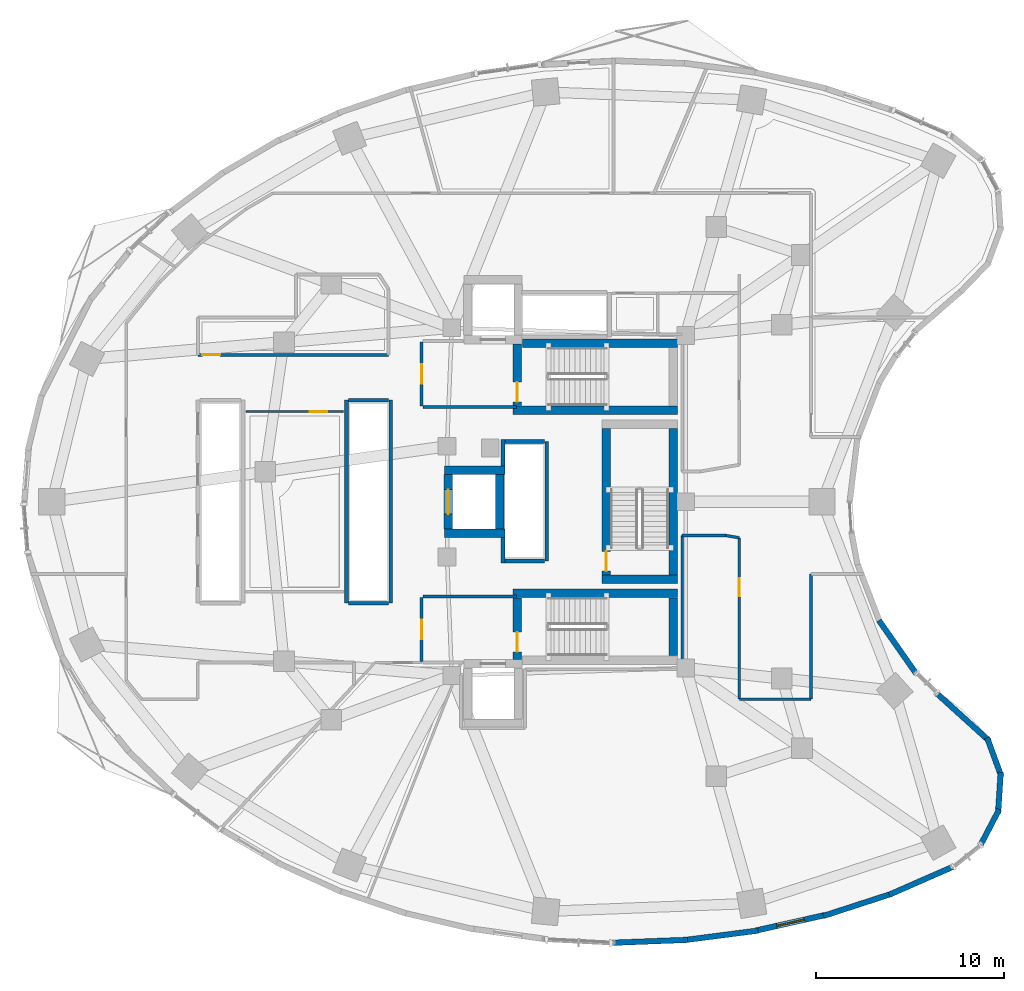
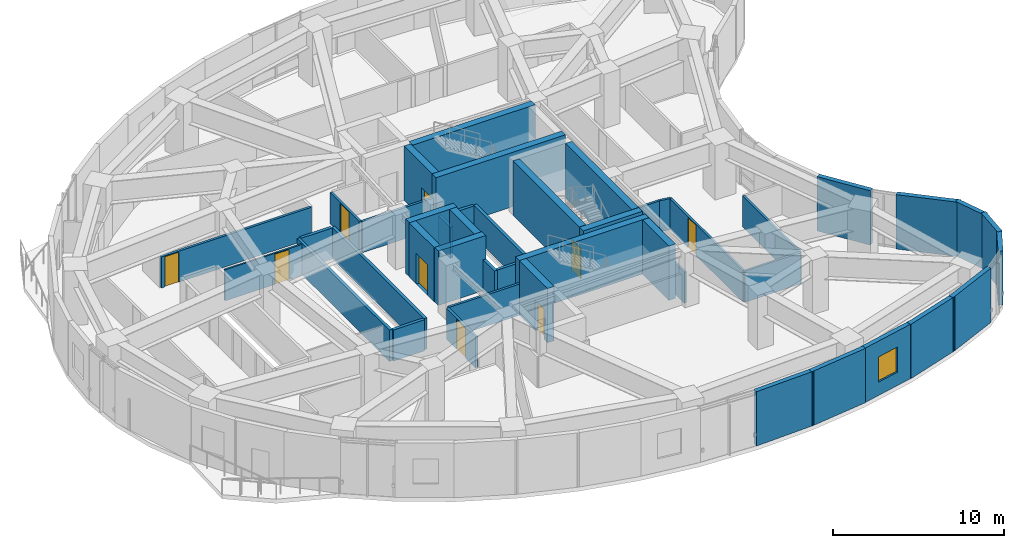
# One storey, part 8 of 13: 44 walls, 9 doors, 1 window, 10 openings.
"""IFC4 building model written with IfcOpenShell, lengths in metres."""

from ifc_helpers import new_model, si_unit, direction, frame, frame_2d, origin, place, context, subcontext, project, spatial, rectangle, extrude, material, layer, layer_set, type_object, element, fill, save


model = new_model("IFC4")

# Units and contexts
model_context = context("Model", 3, precision=1e-05, world=origin(), true_north=direction((0.0, 1.0)))
body_context = subcontext(model_context, "Body", "Model", "MODEL_VIEW")
ifc_project = project(units=[si_unit("LENGTHUNIT", "METRE"), si_unit("AREAUNIT", "SQUARE_METRE"), si_unit("VOLUMEUNIT", "CUBIC_METRE"), si_unit("PLANEANGLEUNIT", "RADIAN"), si_unit("MASSUNIT", "GRAM", prefix="KILO")], contexts=[model_context])

# Site, building, storey
site_placement = place(None, origin())
site = spatial("IfcSite", under=ifc_project, at=site_placement, CompositionType="ELEMENT")
building_placement = place(site_placement, origin())
building = spatial("IfcBuilding", under=site, at=building_placement, Name="Korentha Bioscience Tower", CompositionType="ELEMENT")
storey_placement = place(building_placement, frame((0.0, 0.0, 80.39990234375)))
storey = spatial("IfcBuildingStorey", under=building, at=storey_placement, Name="L18", CompositionType="ELEMENT", Elevation=80.39990234375)

# Wall, opening, door
ifc_material_1 = material(Name="Double-Stud Acoustic Gypsum", Category="gypsum")
ifc_layer_1 = layer(ifc_material_1, 0.14990234375, Name="Double-Stud Acoustic Gypsum")
ifc_layer_set_1 = layer_set([ifc_layer_1], Name="Double-Stud Acoustic Gypsum (IW-L150)")
wall_type_1 = type_object("IfcWallType", Name="Acoustic Laboratory Partition Wall 150", PredefinedType="PARTITIONING", material=ifc_layer_set_1)
wall_1_placement = place(storey_placement, frame((40.389892578125, 25.07958984375, 0.0), z_axis=(0.0, 0.0, 1.0), x_axis=(0.0, -1.0, 0.0)))
wall_1 = element("IfcWall", 1, at=wall_1_placement, inside=storey, type_object=wall_type_1, Name="L18 Staff Pantry Kitchenette 03 Entrance Wall", PredefinedType="PARTITIONING", context=body_context, shape_type="SweptSolid", body=[
    extrude(rectangle(XDim=8.57958984375, YDim=0.14990234375, at=frame_2d((4.289794921875, 0.0))), origin(), (0.0, 0.0, 1.0), 2.22021484375),
])
opening_1_placement = place(wall_1_placement, frame((2.151611328125, 0.0, 0.0)))
opening_1 = element("IfcOpeningElement", 2, at=opening_1_placement, cuts=wall_1, Name="Opening ID-10R", PredefinedType="OPENING", context=body_context, shape_type="SweptSolid", body=[
    extrude(rectangle(XDim=0.949951171875, YDim=2.14990234375, at=frame_2d((0.47509765625, 1.074951171875))), frame((0.0, 0.08984375, 0.0), z_axis=(0.0, -1.0, 0.0), x_axis=(1.0, 0.0, 0.0)), (0.0, 0.0, 1.0), 0.1796875),
])
ifc_material_2 = material(Name="Phenolic Laminate Timber Core", Category="wood")
door_type_1 = type_object("IfcDoorType", Name="Laboratory Single Leaf Door 950x2150 Right", OperationType="SINGLE_SWING_RIGHT", PredefinedType="DOOR", material=ifc_material_2)
door_1_placement = place(opening_1_placement, origin())
door_1 = element("IfcDoor", 3, at=door_1_placement, inside=storey, type_object=door_type_1, Name="L18 Staff Pantry Kitchenette 03 Door", OperationType="SINGLE_SWING_RIGHT", OverallHeight=2.14990234375, OverallWidth=0.949951171875, PredefinedType="DOOR", context=body_context, shape_type="SweptSolid", body=[
    extrude(rectangle(XDim=0.949951171875, YDim=2.14990234375, at=frame_2d((0.47509765625, 1.074951171875))), frame((0.0, 0.02490234375, 0.0), z_axis=(0.0, -1.0, 0.0), x_axis=(1.0, 0.0, 0.0)), (0.0, 0.0, 1.0), 0.050048828125),
])
fill(opening_1, door_1)

# Walls
wall_2_placement = place(storey_placement, frame((37.360107421875, 18.10009765625, 0.0), z_axis=(0.0, 0.0, 1.0), x_axis=(0.0, 1.0, 0.0)))
element("IfcWall", 4, at=wall_2_placement, inside=storey, type_object=wall_type_1, Name="L18 Interior Partition 028", PredefinedType="PARTITIONING", context=body_context, shape_type="SweptSolid", body=[
    extrude(rectangle(XDim=7.097900390625, YDim=0.14990234375, at=frame_2d((3.548828125, 0.0))), origin(), (0.0, 0.0, 1.0), 2.22021484375),
])
wall_3_placement = place(storey_placement, frame((37.360107421875, 25.197998046875, 0.0), z_axis=(0.0, 0.0, 1.0), x_axis=(1.0, 0.0, 0.0)))
element("IfcWall", 5, at=wall_3_placement, inside=storey, type_object=wall_type_1, Name="L18 Interior Partition 029", PredefinedType="PARTITIONING", context=body_context, shape_type="SweptSolid", body=[
    extrude(rectangle(XDim=2.325439453125, YDim=0.14990234375, at=frame_2d((1.16259765625, 0.0))), origin(), (0.0, 0.0, 1.0), 2.22021484375),
])
wall_4_placement = place(storey_placement, frame((39.685791015625, 25.197998046875, 0.0), z_axis=(0.0, 0.0, 1.0), x_axis=(0.986152588678, -0.165840501217, 0.0)))
element("IfcWall", 6, at=wall_4_placement, inside=storey, type_object=wall_type_1, Name="L18 Interior Partition 030", PredefinedType="PARTITIONING", context=body_context, shape_type="SweptSolid", body=[
    extrude(rectangle(XDim=0.7138671875, YDim=0.14990234375, at=frame_2d((0.35693359375, 0.0))), origin(), (0.0, 0.0, 1.0), 2.22021484375),
])
wall_5_placement = place(storey_placement, frame((40.39990234375, 16.489990234375, 0.0), z_axis=(0.0, 0.0, 1.0), x_axis=(1.0, 0.0, 0.0)))
element("IfcWall", 7, at=wall_5_placement, inside=storey, type_object=wall_type_1, Name="L18 Interior Partition 031", PredefinedType="PARTITIONING", context=body_context, shape_type="SweptSolid", body=[
    extrude(rectangle(XDim=3.800048828125, YDim=0.14990234375, at=frame_2d((1.89990234375, 0.0))), origin(), (0.0, 0.0, 1.0), 2.22021484375),
])
wall_6_placement = place(storey_placement, frame((44.2099609375, 16.5, 0.0), z_axis=(0.0, 0.0, 1.0), x_axis=(0.0, 1.0, 0.0)))
element("IfcWall", 8, at=wall_6_placement, inside=storey, type_object=wall_type_1, Name="L18 Interior Partition 032", PredefinedType="PARTITIONING", context=body_context, shape_type="SweptSolid", body=[
    extrude(rectangle(XDim=6.64794921875, YDim=0.14990234375, at=frame_2d((3.323974609375, 0.0))), origin(), (0.0, 0.0, 1.0), 2.22021484375),
])

# Wall, opening, door
ifc_material_3 = material(Name="Fire-Rated Framed Glass", Category="glass")
ifc_layer_2 = layer(ifc_material_3, 0.110107421875, Name="Fire-Rated Framed Glass")
ifc_layer_set_2 = layer_set([ifc_layer_2], Name="Fire-Rated Framed Glass (IW-G110)")
wall_type_2 = type_object("IfcWallType", Name="Demountable Glazed Office Partition 110", PredefinedType="MOVABLE", material=ifc_layer_set_2)
wall_7_placement = place(storey_placement, frame((14.159912109375, 31.7900390625, 0.0), z_axis=(0.0, 0.0, 1.0), x_axis=(1.0, 0.0, 0.0)))
wall_7 = element("IfcWall", 9, at=wall_7_placement, inside=storey, type_object=wall_type_2, Name="L18 Bioinformatics Dry Workstation Studio 12 Entrance Wall", PredefinedType="MOVABLE", context=body_context, shape_type="SweptSolid", body=[
    extrude(rectangle(XDim=5.18017578125, YDim=0.110107421875, at=frame_2d((2.590087890625, 0.0))), origin(), (0.0, 0.0, 1.0), 2.22021484375),
])
opening_2_placement = place(wall_7_placement, frame((3.378173828125, 0.0, 0.0)))
opening_2 = element("IfcOpeningElement", 10, at=opening_2_placement, cuts=wall_7, Name="Opening ID-10L", PredefinedType="OPENING", context=body_context, shape_type="SweptSolid", body=[
    extrude(rectangle(XDim=0.949951171875, YDim=2.14990234375, at=frame_2d((0.47509765625, 1.074951171875))), frame((0.0, 0.06982421875, 0.0), z_axis=(0.0, -1.0, 0.0), x_axis=(1.0, 0.0, 0.0)), (0.0, 0.0, 1.0), 0.139892578125),
])
door_type_2 = type_object("IfcDoorType", Name="Laboratory Single Leaf Door 950x2150 Left", OperationType="SINGLE_SWING_LEFT", PredefinedType="DOOR", material=ifc_material_2)
door_2_placement = place(opening_2_placement, origin())
door_2 = element("IfcDoor", 11, at=door_2_placement, inside=storey, type_object=door_type_2, Name="L18 Bioinformatics Dry Workstation Studio 12 Door", OperationType="SINGLE_SWING_LEFT", OverallHeight=2.14990234375, OverallWidth=0.949951171875, PredefinedType="DOOR", context=body_context, shape_type="SweptSolid", body=[
    extrude(rectangle(XDim=0.949951171875, YDim=2.14990234375, at=frame_2d((0.47509765625, 1.074951171875))), frame((0.0, 0.02490234375, 0.0), z_axis=(0.0, -1.0, 0.0), x_axis=(1.0, 0.0, 0.0)), (0.0, 0.0, 1.0), 0.050048828125),
])
fill(opening_2, door_2)

ifc_material_4 = material(Name="Gypsum-Clad Steel Stud", Category="steel")
ifc_layer_3 = layer(ifc_material_4, 0.159912109375, Name="Gypsum-Clad Steel Stud")
ifc_layer_set_3 = layer_set([ifc_layer_3], Name="Gypsum-Clad Steel Stud (IW-C160)")
wall_type_3 = type_object("IfcWallType", Name="Fire-Rated Corridor Partition Wall 160", PredefinedType="PARTITIONING", material=ifc_layer_set_3)
wall_8_placement = place(storey_placement, frame((23.5, 32.10009765625, 0.0), z_axis=(0.0, 0.0, 1.0), x_axis=(0.0, 1.0, 0.0)))
wall_8 = element("IfcWall", 12, at=wall_8_placement, inside=storey, type_object=wall_type_3, Name="L18 FFLN-CW Rated Enclosure Wall", PredefinedType="PARTITIONING", context=body_context, shape_type="SweptSolid", body=[
    extrude(rectangle(XDim=3.39990234375, YDim=0.159912109375, at=frame_2d((1.699951171875, 0.0))), origin(), (0.0, 0.0, 1.0), 2.22021484375),
])
opening_3_placement = place(wall_8_placement, frame((1.175048828125, 0.0, 0.0)))
opening_3 = element("IfcOpeningElement", 13, at=opening_3_placement, cuts=wall_8, Name="Opening FD-90L", PredefinedType="OPENING", context=body_context, shape_type="SweptSolid", body=[
    extrude(rectangle(XDim=1.050048828125, YDim=2.14990234375, at=frame_2d((0.52490234375, 1.074951171875))), frame((0.0, 0.0947265625, 0.0), z_axis=(0.0, -1.0, 0.0), x_axis=(1.0, 0.0, 0.0)), (0.0, 0.0, 1.0), 0.189697265625),
])
ifc_material_5 = material(Name="Powder-Coated Fire-Rated Steel", Category="steel")
door_type_3 = type_object("IfcDoorType", Name="Stairwell Fire Exit Door 1050x2150 Left", OperationType="SINGLE_SWING_LEFT", PredefinedType="DOOR", material=ifc_material_5)
door_3_placement = place(opening_3_placement, origin())
door_3 = element("IfcDoor", 14, at=door_3_placement, inside=storey, type_object=door_type_3, Name="L18 North Firefighting Lobby Door", OperationType="SINGLE_SWING_LEFT", OverallHeight=2.14990234375, OverallWidth=1.050048828125, PredefinedType="DOOR", context=body_context, shape_type="SweptSolid", body=[
    extrude(rectangle(XDim=1.050048828125, YDim=2.14990234375, at=frame_2d((0.52490234375, 1.074951171875))), frame((0.0, 0.02490234375, 0.0), z_axis=(0.0, -1.0, 0.0), x_axis=(1.0, 0.0, 0.0)), (0.0, 0.0, 1.0), 0.050048828125),
])
fill(opening_3, door_3)

wall_9_placement = place(storey_placement, frame((23.5, 18.5, 0.0), z_axis=(0.0, 0.0, 1.0), x_axis=(0.0, 1.0, 0.0)))
wall_9 = element("IfcWall", 15, at=wall_9_placement, inside=storey, type_object=wall_type_3, Name="L18 FFLS-CW Rated Enclosure Wall", PredefinedType="PARTITIONING", context=body_context, shape_type="SweptSolid", body=[
    extrude(rectangle(XDim=3.39990234375, YDim=0.159912109375, at=frame_2d((1.699951171875, 0.0))), origin(), (0.0, 0.0, 1.0), 2.22021484375),
])
opening_4_placement = place(wall_9_placement, frame((1.175048828125, 0.0, 0.0)))
opening_4 = element("IfcOpeningElement", 16, at=opening_4_placement, cuts=wall_9, Name="Opening FD-90L", PredefinedType="OPENING", context=body_context, shape_type="SweptSolid", body=[
    extrude(rectangle(XDim=1.050048828125, YDim=2.14990234375, at=frame_2d((0.52490234375, 1.074951171875))), frame((0.0, 0.0947265625, 0.0), z_axis=(0.0, -1.0, 0.0), x_axis=(1.0, 0.0, 0.0)), (0.0, 0.0, 1.0), 0.189697265625),
])
door_4_placement = place(opening_4_placement, origin())
door_4 = element("IfcDoor", 17, at=door_4_placement, inside=storey, type_object=door_type_3, Name="L18 South Firefighting Lobby Door", OperationType="SINGLE_SWING_LEFT", OverallHeight=2.14990234375, OverallWidth=1.050048828125, PredefinedType="DOOR", context=body_context, shape_type="SweptSolid", body=[
    extrude(rectangle(XDim=1.050048828125, YDim=2.14990234375, at=frame_2d((0.52490234375, 1.074951171875))), frame((0.0, 0.02490234375, 0.0), z_axis=(0.0, -1.0, 0.0), x_axis=(1.0, 0.0, 0.0)), (0.0, 0.0, 1.0), 0.050048828125),
])
fill(opening_4, door_4)

# Walls
for number, where, z_axis, x_axis, name in (
    (18, (23.580078125, 32.050048828125, 0.0), (0.0, 0.0, 1.0), (1.0, 0.0, 0.0), "L18 Firefighting Lobby Return Wall FFLN-S"),
    (19, (23.580078125, 21.949951171875, 0.0), (0.0, 0.0, 1.0), (1.0, 0.0, 0.0), "L18 Firefighting Lobby Return Wall FFLS-N"),
):
    element("IfcWall", number, at=place(storey_placement, frame(where, z_axis=z_axis, x_axis=x_axis)), inside=storey, type_object=wall_type_3, Name=name, PredefinedType="PARTITIONING", context=body_context, shape_type="SweptSolid", body=[
        extrude(rectangle(XDim=4.969970703125, YDim=0.159912109375, at=frame_2d((2.48486328125, 0.0))), origin(), (0.0, 0.0, 1.0), 2.22021484375),
    ])

# Wall, opening, door
wall_10_placement = place(storey_placement, frame((21.739990234375, 34.81005859375, 0.0), z_axis=(0.0, 0.0, 1.0), x_axis=(-1.0, 0.0, 0.0)))
wall_10 = element("IfcWall", 20, at=wall_10_placement, inside=storey, type_object=wall_type_3, Name="L18 Glassware Autoclave Wash Alcove 10 Entrance Wall", PredefinedType="PARTITIONING", context=body_context, shape_type="SweptSolid", body=[
    extrude(rectangle(XDim=10.14990234375, YDim=0.159912109375, at=frame_2d((5.074951171875, 0.0))), origin(), (0.0, 0.0, 1.0), 2.22021484375),
])
opening_5_placement = place(wall_10_placement, frame((8.9599609375, 0.0, 0.0)))
opening_5 = element("IfcOpeningElement", 21, at=opening_5_placement, cuts=wall_10, Name="Opening ID-10L", PredefinedType="OPENING", context=body_context, shape_type="SweptSolid", body=[
    extrude(rectangle(XDim=0.949951171875, YDim=2.14990234375, at=frame_2d((0.47509765625, 1.074951171875))), frame((0.0, 0.0947265625, 0.0), z_axis=(0.0, -1.0, 0.0), x_axis=(1.0, 0.0, 0.0)), (0.0, 0.0, 1.0), 0.189697265625),
])
door_5_placement = place(opening_5_placement, origin())
door_5 = element("IfcDoor", 22, at=door_5_placement, inside=storey, type_object=door_type_2, Name="L18 Glassware Autoclave Wash Alcove 10 Door", OperationType="SINGLE_SWING_LEFT", OverallHeight=2.14990234375, OverallWidth=0.949951171875, PredefinedType="DOOR", context=body_context, shape_type="SweptSolid", body=[
    extrude(rectangle(XDim=0.949951171875, YDim=2.14990234375, at=frame_2d((0.47509765625, 1.074951171875))), frame((0.0, 0.02490234375, 0.0), z_axis=(0.0, -1.0, 0.0), x_axis=(1.0, 0.0, 0.0)), (0.0, 0.0, 1.0), 0.050048828125),
])
fill(opening_5, door_5)

# Wall, opening, window
ifc_material_6 = material(Name="Honed Limestone Precast Concrete C40", Category="masonry")
ifc_layer_4 = layer(ifc_material_6, 0.300048828125, Name="Honed Limestone Precast Concrete C40")
ifc_layer_set_4 = layer_set([ifc_layer_4], Name="Honed Limestone Precast Concrete C40 (EW-ST300)")
wall_type_4 = type_object("IfcWallType", Name="Honed Limestone Cavity Spandrel Wall 300", PredefinedType="STANDARD", material=ifc_layer_set_4)
wall_11_placement = place(storey_placement, frame((41.239990234375, 4.17919921875, 0.0), z_axis=(0.0, 0.0, 1.0), x_axis=(0.9758772609, 0.218319883791, 0.0)))
wall_11 = element("IfcWall", 23, at=wall_11_placement, inside=storey, type_object=wall_type_4, Name="L18 Honed Limestone Spandrel Wall 34", PredefinedType="STANDARD", context=body_context, shape_type="SweptSolid", body=[
    extrude(rectangle(XDim=3.869140625, YDim=0.300048828125, at=frame_2d((1.9345703125, 0.0))), origin(), (0.0, 0.0, 1.0), 3.880126953125),
])
opening_6_placement = place(wall_11_placement, frame((1.1845703125, 0.0, 0.949951171875)))
opening_6 = element("IfcOpeningElement", 24, at=opening_6_placement, cuts=wall_11, Name="Opening WN-02", PredefinedType="OPENING", context=body_context, shape_type="SweptSolid", body=[
    extrude(rectangle(XDim=1.5, YDim=1.800048828125, at=frame_2d((0.75, 0.89990234375))), frame((0.0, 0.1650390625, 0.0), z_axis=(0.0, -1.0, 0.0), x_axis=(1.0, 0.0, 0.0)), (0.0, 0.0, 1.0), 0.329833984375),
])
ifc_material_7 = material(Name="Thermally Broken Aluminium Triple Glazing", Category="aluminium")
window_type = type_object("IfcWindowType", Name="Acoustic Operable Office Window 1500x1800", PartitioningType="DOUBLE_PANEL_VERTICAL", PredefinedType="WINDOW", material=ifc_material_7)
window_placement = place(opening_6_placement, origin())
window = element("IfcWindow", 25, at=window_placement, inside=storey, type_object=window_type, Name="L18 Facade Window 34", OverallHeight=1.800048828125, OverallWidth=1.5, PartitioningType="DOUBLE_PANEL_VERTICAL", PredefinedType="WINDOW", context=body_context, shape_type="SweptSolid", body=[
    extrude(rectangle(XDim=1.5, YDim=1.800048828125, at=frame_2d((0.75, 0.89990234375))), frame((0.0, 0.030029296875, 0.0), z_axis=(0.0, -1.0, 0.0), x_axis=(1.0, 0.0, 0.0)), (0.0, 0.0, 1.0), 0.06005859375),
])
fill(opening_6, window)

# Walls
wall_12_placement = place(storey_placement, frame((33.66796875, 3.53759765625, 0.0), z_axis=(0.0, 0.0, 1.0), x_axis=(0.999245411623, 0.038840794937, 0.0)))
element("IfcWall", 26, at=wall_12_placement, inside=storey, type_object=wall_type_4, Name="L18 Limestone Perimeter Closure Wall 32", PredefinedType="STANDARD", context=body_context, shape_type="SweptSolid", body=[
    extrude(rectangle(XDim=3.978759765625, YDim=0.300048828125, at=frame_2d((1.9892578125, 0.0))), origin(), (0.0, 0.0, 1.0), 3.880126953125),
])
wall_13_placement = place(storey_placement, frame((37.471923828125, 3.677734375, 0.0), z_axis=(0.0, 0.0, 1.0), x_axis=(0.991734095036, 0.128310111617, 0.0)))
element("IfcWall", 27, at=wall_13_placement, inside=storey, type_object=wall_type_4, Name="L18 Limestone Perimeter Closure Wall 33", PredefinedType="STANDARD", context=body_context, shape_type="SweptSolid", body=[
    extrude(rectangle(XDim=3.955810546875, YDim=0.300048828125, at=frame_2d((1.97802734375, 0.0))), origin(), (0.0, 0.0, 1.0), 3.880126953125),
])
wall_14_placement = place(storey_placement, frame((44.872802734375, 4.963134765625, 0.0), z_axis=(0.0, 0.0, 1.0), x_axis=(0.950965833732, 0.309295947393, 0.0)))
element("IfcWall", 28, at=wall_14_placement, inside=storey, type_object=wall_type_4, Name="L18 Limestone Perimeter Closure Wall 35", PredefinedType="STANDARD", context=body_context, shape_type="SweptSolid", body=[
    extrude(rectangle(XDim=3.840087890625, YDim=0.300048828125, at=frame_2d((1.919921875, 0.0))), origin(), (0.0, 0.0, 1.0), 3.880126953125),
])
wall_15_placement = place(storey_placement, frame((48.3623046875, 6.089111328125, 0.0), z_axis=(0.0, 0.0, 1.0), x_axis=(0.915945168042, 0.401303437738, 0.0)))
element("IfcWall", 29, at=wall_15_placement, inside=storey, type_object=wall_type_4, Name="L18 Limestone Perimeter Closure Wall 36", PredefinedType="STANDARD", context=body_context, shape_type="SweptSolid", body=[
    extrude(rectangle(XDim=3.75244140625, YDim=0.300048828125, at=frame_2d((1.876220703125, 0.0))), origin(), (0.0, 0.0, 1.0), 3.880126953125),
])
wall_16_placement = place(storey_placement, frame((53.20751953125, 8.691650390625, 0.0), z_axis=(0.0, 0.0, 1.0), x_axis=(0.463035066673, 0.886339961319, 0.0)))
element("IfcWall", 30, at=wall_16_placement, inside=storey, type_object=wall_type_4, Name="L18 Limestone Perimeter Closure Wall 38", PredefinedType="STANDARD", context=body_context, shape_type="SweptSolid", body=[
    extrude(rectangle(XDim=2.1875, YDim=0.300048828125, at=frame_2d((1.09375, 0.0))), origin(), (0.0, 0.0, 1.0), 3.880126953125),
])
for number, where, z_axis, x_axis, name in (
    (31, (54.16259765625, 10.42431640625, 0.0), (0.0, 0.0, 1.0), (0.064615302336, 0.99791024782, 0.0), "L18 Limestone Perimeter Closure Wall 39"),
    (32, (54.334716796875, 12.39501953125, 0.0), (0.0, 0.0, 1.0), (-0.344939866054, 0.938624785954, 0.0), "L18 Limestone Perimeter Closure Wall 40"),
):
    element("IfcWall", number, at=place(storey_placement, frame(where, z_axis=z_axis, x_axis=x_axis)), inside=storey, type_object=wall_type_4, Name=name, PredefinedType="STANDARD", context=body_context, shape_type="SweptSolid", body=[
        extrude(rectangle(XDim=2.187744140625, YDim=0.300048828125, at=frame_2d((1.09375, 0.0))), origin(), (0.0, 0.0, 1.0), 3.880126953125),
    ])
wall_17_placement = place(storey_placement, frame((53.704345703125, 14.26416015625, 0.0), z_axis=(0.0, 0.0, 1.0), x_axis=(-0.74117794387, 0.671308614216, 0.0)))
element("IfcWall", 33, at=wall_17_placement, inside=storey, type_object=wall_type_4, Name="L18 Limestone Perimeter Closure Wall 41", PredefinedType="STANDARD", context=body_context, shape_type="SweptSolid", body=[
    extrude(rectangle(XDim=3.815673828125, YDim=0.300048828125, at=frame_2d((1.90771484375, 0.0))), origin(), (0.0, 0.0, 1.0), 3.880126953125),
])
wall_18_placement = place(storey_placement, frame((49.79248046875, 17.8779296875, 0.0), z_axis=(0.0, 0.0, 1.0), x_axis=(-0.573576992806, 0.819151654655, 0.0)))
element("IfcWall", 34, at=wall_18_placement, inside=storey, type_object=wall_type_4, Name="L18 Limestone Perimeter Closure Wall 44", PredefinedType="STANDARD", context=body_context, shape_type="SweptSolid", body=[
    extrude(rectangle(XDim=3.429931640625, YDim=0.300048828125, at=frame_2d((1.71484375, 0.0))), origin(), (0.0, 0.0, 1.0), 3.880126953125),
])
ifc_material_8 = material(Name="Autoclaved Aerated Concrete Block C25", Category="concrete")
ifc_layer_5 = layer(ifc_material_8, 0.199951171875, Name="Autoclaved Aerated Concrete Block C25")
ifc_layer_set_5 = layer_set([ifc_layer_5], Name="Autoclaved Aerated Concrete Block C25 (IW-S200)")
wall_type_5 = type_object("IfcWallType", Name="Lift and Riser Shaft Enclosure Wall 200", PredefinedType="PARTITIONING", material=ifc_layer_set_5)
for number, where, z_axis, x_axis, name in (
    (35, (19.5, 21.60009765625, 0.0), (0.0, 0.0, 1.0), (0.0, 1.0, 0.0), "L18 Lift Bank MID Shaft Wall -X"),
    (36, (21.85009765625, 21.60009765625, 0.0), (0.0, 0.0, 1.0), (0.0, 1.0, 0.0), "L18 Lift Bank MID Shaft Wall +X"),
):
    element("IfcWall", number, at=place(storey_placement, frame(where, z_axis=z_axis, x_axis=x_axis)), inside=storey, type_object=wall_type_5, Name=name, PredefinedType="PARTITIONING", context=body_context, shape_type="SweptSolid", body=[
        extrude(rectangle(XDim=10.7998046875, YDim=0.199951171875, at=frame_2d((5.39990234375, 0.0))), origin(), (0.0, 0.0, 1.0), 2.22021484375),
    ])
for number, where, z_axis, x_axis, name in (
    (37, (19.6201171875, 21.60009765625, 0.0), (0.0, 0.0, 1.0), (1.0, 0.0, 0.0), "L18 Lift Bank MID Shaft Wall -Y"),
    (38, (19.6201171875, 32.39990234375, 0.0), (0.0, 0.0, 1.0), (1.0, 0.0, 0.0), "L18 Lift Bank MID Shaft Wall +Y"),
):
    element("IfcWall", number, at=place(storey_placement, frame(where, z_axis=z_axis, x_axis=x_axis)), inside=storey, type_object=wall_type_5, Name=name, PredefinedType="PARTITIONING", context=body_context, shape_type="SweptSolid", body=[
        extrude(rectangle(XDim=2.10986328125, YDim=0.199951171875, at=frame_2d((1.054931640625, 0.0))), origin(), (0.0, 0.0, 1.0), 2.22021484375),
    ])
wall_19_placement = place(storey_placement, frame((27.830078125, 23.75, 0.0), z_axis=(0.0, 0.0, 1.0), x_axis=(0.0, 1.0, 0.0)))
element("IfcWall", 39, at=wall_19_placement, inside=storey, type_object=wall_type_5, Name="L18 Lift Bank HIGH Shaft Wall -XS", PredefinedType="PARTITIONING", context=body_context, shape_type="SweptSolid", body=[
    extrude(rectangle(XDim=1.341064453125, YDim=0.199951171875, at=frame_2d((0.67041015625, 0.0))), origin(), (0.0, 0.0, 1.0), 2.22021484375),
])
wall_20_placement = place(storey_placement, frame((27.830078125, 28.908935546875, 0.0), z_axis=(0.0, 0.0, 1.0), x_axis=(0.0, 1.0, 0.0)))
element("IfcWall", 40, at=wall_20_placement, inside=storey, type_object=wall_type_5, Name="L18 Lift Bank HIGH Shaft Wall -XN", PredefinedType="PARTITIONING", context=body_context, shape_type="SweptSolid", body=[
    extrude(rectangle(XDim=1.39111328125, YDim=0.199951171875, at=frame_2d((0.695556640625, 0.0))), origin(), (0.0, 0.0, 1.0), 2.22021484375),
])
wall_21_placement = place(storey_placement, frame((30.14990234375, 23.85009765625, 0.0), z_axis=(0.0, 0.0, 1.0), x_axis=(0.0, 1.0, 0.0)))
element("IfcWall", 41, at=wall_21_placement, inside=storey, type_object=wall_type_5, Name="L18 Lift Bank HIGH Shaft Wall +X", PredefinedType="PARTITIONING", context=body_context, shape_type="SweptSolid", body=[
    extrude(rectangle(XDim=6.349853515625, YDim=0.199951171875, at=frame_2d((3.1748046875, 0.0))), origin(), (0.0, 0.0, 1.0), 2.22021484375),
])
for number, where, z_axis, x_axis, name in (
    (42, (27.93408203125, 23.85009765625, 0.0), (0.0, 0.0, 1.0), (1.0, 0.0, 0.0), "L18 Lift Bank HIGH Shaft Wall -Y"),
    (43, (27.93408203125, 30.199951171875, 0.0), (0.0, 0.0, 1.0), (1.0, 0.0, 0.0), "L18 Lift Bank HIGH Shaft Wall +Y"),
):
    element("IfcWall", number, at=place(storey_placement, frame(where, z_axis=z_axis, x_axis=x_axis)), inside=storey, type_object=wall_type_5, Name=name, PredefinedType="PARTITIONING", context=body_context, shape_type="SweptSolid", body=[
        extrude(rectangle(XDim=2.095947265625, YDim=0.199951171875, at=frame_2d((1.0478515625, 0.0))), origin(), (0.0, 0.0, 1.0), 2.22021484375),
    ])
ifc_material_9 = material(Name="Concrete C80", Category="concrete")
ifc_layer_6 = layer(ifc_material_9, 0.449951171875, Name="Concrete C80")
ifc_layer_set_6 = layer_set([ifc_layer_6], Name="Concrete C80 (CW-C80)")
wall_type_6 = type_object("IfcWallType", Name="Lower Core Shear Wall 450", PredefinedType="SHEAR", material=ifc_layer_set_6)
wall_22_placement = place(storey_placement, frame((28.85205078125, 35.425048828125, 0.0), z_axis=(0.0, 0.0, 1.0), x_axis=(1.0, 0.0, 0.0)))
element("IfcWall", 44, at=wall_22_placement, inside=storey, type_object=wall_type_6, Name="L18 Core Shear Wall ST1-N", PredefinedType="SHEAR", context=body_context, shape_type="SweptSolid", body=[
    extrude(rectangle(XDim=8.248046875, YDim=0.449951171875, at=frame_2d((4.1240234375, 0.0))), origin(), (0.0, 0.0, 1.0), 3.880126953125),
])
wall_23_placement = place(storey_placement, frame((28.35009765625, 31.875, 0.0), z_axis=(0.0, 0.0, 1.0), x_axis=(1.0, 0.0, 0.0)))
element("IfcWall", 45, at=wall_23_placement, inside=storey, type_object=wall_type_6, Name="L18 Core Shear Wall ST1-S", PredefinedType="SHEAR", context=body_context, shape_type="SweptSolid", body=[
    extrude(rectangle(XDim=8.75, YDim=0.449951171875, at=frame_2d((4.375, 0.0))), origin(), (0.0, 0.0, 1.0), 3.880126953125),
])

# Wall, opening, door
wall_24_placement = place(storey_placement, frame((28.574951171875, 32.110107421875, 0.0), z_axis=(0.0, 0.0, 1.0), x_axis=(0.0, 1.0, 0.0)))
wall_24 = element("IfcWall", 46, at=wall_24_placement, inside=storey, type_object=wall_type_6, Name="L18 Core Shear Wall ST1-W", PredefinedType="SHEAR", context=body_context, shape_type="SweptSolid", body=[
    extrude(rectangle(XDim=3.282958984375, YDim=0.449951171875, at=frame_2d((1.6416015625, 0.0))), origin(), (0.0, 0.0, 1.0), 3.880126953125),
])
opening_7_placement = place(wall_24_placement, frame((0.199951171875, 0.0, 0.0)))
opening_7 = element("IfcOpeningElement", 47, at=opening_7_placement, cuts=wall_24, Name="Opening FD-90L", PredefinedType="OPENING", context=body_context, shape_type="SweptSolid", body=[
    extrude(rectangle(XDim=1.050048828125, YDim=2.14990234375, at=frame_2d((0.52490234375, 1.074951171875))), frame((0.0, 0.23974609375, 0.0), z_axis=(0.0, -1.0, 0.0), x_axis=(1.0, 0.0, 0.0)), (0.0, 0.0, 1.0), 0.479736328125),
])
door_6_placement = place(opening_7_placement, origin())
door_6 = element("IfcDoor", 48, at=door_6_placement, inside=storey, type_object=door_type_3, Name="L18 ST-1 Fire Exit Stair Door", OperationType="SINGLE_SWING_LEFT", OverallHeight=2.14990234375, OverallWidth=1.050048828125, PredefinedType="DOOR", context=body_context, shape_type="SweptSolid", body=[
    extrude(rectangle(XDim=1.050048828125, YDim=2.14990234375, at=frame_2d((0.52490234375, 1.074951171875))), frame((0.0, 0.02490234375, 0.0), z_axis=(0.0, -1.0, 0.0), x_axis=(1.0, 0.0, 0.0)), (0.0, 0.0, 1.0), 0.050048828125),
])
fill(opening_7, door_6)

# Walls
wall_25_placement = place(storey_placement, frame((28.35009765625, 22.125, 0.0), z_axis=(0.0, 0.0, 1.0), x_axis=(1.0, 0.0, 0.0)))
element("IfcWall", 49, at=wall_25_placement, inside=storey, type_object=wall_type_6, Name="L18 Core Shear Wall ST2-N", PredefinedType="SHEAR", context=body_context, shape_type="SweptSolid", body=[
    extrude(rectangle(XDim=8.75, YDim=0.449951171875, at=frame_2d((4.375, 0.0))), origin(), (0.0, 0.0, 1.0), 3.880126953125),
])
wall_26_placement = place(storey_placement, frame((36.875, 18.81005859375, 0.0), z_axis=(0.0, 0.0, 1.0), x_axis=(0.0, 1.0, 0.0)))
element("IfcWall", 50, at=wall_26_placement, inside=storey, type_object=wall_type_6, Name="L18 Core Shear Wall ST2-E", PredefinedType="SHEAR", context=body_context, shape_type="SweptSolid", body=[
    extrude(rectangle(XDim=3.079833984375, YDim=0.449951171875, at=frame_2d((1.5400390625, 0.0))), origin(), (0.0, 0.0, 1.0), 3.880126953125),
])

# Wall, opening, door
wall_27_placement = place(storey_placement, frame((28.574951171875, 18.60693359375, 0.0), z_axis=(0.0, 0.0, 1.0), x_axis=(0.0, 1.0, 0.0)))
wall_27 = element("IfcWall", 51, at=wall_27_placement, inside=storey, type_object=wall_type_6, Name="L18 Core Shear Wall ST2-W", PredefinedType="SHEAR", context=body_context, shape_type="SweptSolid", body=[
    extrude(rectangle(XDim=3.282958984375, YDim=0.449951171875, at=frame_2d((1.6416015625, 0.0))), origin(), (0.0, 0.0, 1.0), 3.880126953125),
])
opening_8_placement = place(wall_27_placement, frame((0.403076171875, 0.0, 0.0)))
opening_8 = element("IfcOpeningElement", 52, at=opening_8_placement, cuts=wall_27, Name="Opening FD-90L", PredefinedType="OPENING", context=body_context, shape_type="SweptSolid", body=[
    extrude(rectangle(XDim=1.050048828125, YDim=2.14990234375, at=frame_2d((0.52490234375, 1.074951171875))), frame((0.0, 0.23974609375, 0.0), z_axis=(0.0, -1.0, 0.0), x_axis=(1.0, 0.0, 0.0)), (0.0, 0.0, 1.0), 0.479736328125),
])
door_7_placement = place(opening_8_placement, origin())
door_7 = element("IfcDoor", 53, at=door_7_placement, inside=storey, type_object=door_type_3, Name="L18 ST-2 Fire Exit Stair Door", OperationType="SINGLE_SWING_LEFT", OverallHeight=2.14990234375, OverallWidth=1.050048828125, PredefinedType="DOOR", context=body_context, shape_type="SweptSolid", body=[
    extrude(rectangle(XDim=1.050048828125, YDim=2.14990234375, at=frame_2d((0.52490234375, 1.074951171875))), frame((0.0, 0.02490234375, 0.0), z_axis=(0.0, -1.0, 0.0), x_axis=(1.0, 0.0, 0.0)), (0.0, 0.0, 1.0), 0.050048828125),
])
fill(opening_8, door_7)

# Walls
wall_28_placement = place(storey_placement, frame((33.10009765625, 22.875, 0.0), z_axis=(0.0, 0.0, 1.0), x_axis=(1.0, 0.0, 0.0)))
element("IfcWall", 54, at=wall_28_placement, inside=storey, type_object=wall_type_6, Name="L18 Core Shear Wall ST3-S", PredefinedType="SHEAR", context=body_context, shape_type="SweptSolid", body=[
    extrude(rectangle(XDim=4.0, YDim=0.449951171875, at=frame_2d((2.0, 0.0))), origin(), (0.0, 0.0, 1.0), 3.880126953125),
])
wall_29_placement = place(storey_placement, frame((36.875, 23.110107421875, 0.0), z_axis=(0.0, 0.0, 1.0), x_axis=(0.0, 1.0, 0.0)))
element("IfcWall", 55, at=wall_29_placement, inside=storey, type_object=wall_type_6, Name="L18 Core Shear Wall ST3-E", PredefinedType="SHEAR", context=body_context, shape_type="SweptSolid", body=[
    extrude(rectangle(XDim=7.77978515625, YDim=0.449951171875, at=frame_2d((3.889892578125, 0.0))), origin(), (0.0, 0.0, 1.0), 3.880126953125),
])

# Wall, opening, door
wall_30_placement = place(storey_placement, frame((33.324951171875, 23.110107421875, 0.0), z_axis=(0.0, 0.0, 1.0), x_axis=(0.0, 1.0, 0.0)))
wall_30 = element("IfcWall", 56, at=wall_30_placement, inside=storey, type_object=wall_type_6, Name="L18 Core Shear Wall ST3-W", PredefinedType="SHEAR", context=body_context, shape_type="SweptSolid", body=[
    extrude(rectangle(XDim=7.77978515625, YDim=0.449951171875, at=frame_2d((3.889892578125, 0.0))), origin(), (0.0, 0.0, 1.0), 3.880126953125),
])
opening_9_placement = place(wall_30_placement, frame((0.199951171875, 0.0, 0.0)))
opening_9 = element("IfcOpeningElement", 57, at=opening_9_placement, cuts=wall_30, Name="Opening FD-90L", PredefinedType="OPENING", context=body_context, shape_type="SweptSolid", body=[
    extrude(rectangle(XDim=1.050048828125, YDim=2.14990234375, at=frame_2d((0.52490234375, 1.074951171875))), frame((0.0, 0.23974609375, 0.0), z_axis=(0.0, -1.0, 0.0), x_axis=(1.0, 0.0, 0.0)), (0.0, 0.0, 1.0), 0.479736328125),
])
door_8_placement = place(opening_9_placement, origin())
door_8 = element("IfcDoor", 58, at=door_8_placement, inside=storey, type_object=door_type_3, Name="L18 ST-3 Fire Exit Stair Door", OperationType="SINGLE_SWING_LEFT", OverallHeight=2.14990234375, OverallWidth=1.050048828125, PredefinedType="DOOR", context=body_context, shape_type="SweptSolid", body=[
    extrude(rectangle(XDim=1.050048828125, YDim=2.14990234375, at=frame_2d((0.52490234375, 1.074951171875))), frame((0.0, 0.02490234375, 0.0), z_axis=(0.0, -1.0, 0.0), x_axis=(1.0, 0.0, 0.0)), (0.0, 0.0, 1.0), 0.050048828125),
])
fill(opening_9, door_8)

# Walls
for number, where, z_axis, x_axis, name in (
    (59, (24.719970703125, 28.679931640625, 0.0), (0.0, 0.0, 1.0), (1.0, 0.0, 0.0), "L18 Core Shear Wall SVL1-N"),
    (60, (24.719970703125, 25.320068359375, 0.0), (0.0, 0.0, 1.0), (1.0, 0.0, 0.0), "L18 Core Shear Wall SVL1-S"),
):
    element("IfcWall", number, at=place(storey_placement, frame(where, z_axis=z_axis, x_axis=x_axis)), inside=storey, type_object=wall_type_6, Name=name, PredefinedType="SHEAR", context=body_context, shape_type="SweptSolid", body=[
        extrude(rectangle(XDim=3.2099609375, YDim=0.449951171875, at=frame_2d((1.60498046875, 0.0))), origin(), (0.0, 0.0, 1.0), 3.880126953125),
    ])

# Wall, opening, door
wall_31_placement = place(storey_placement, frame((24.919921875, 25.547119140625, 0.0), z_axis=(0.0, 0.0, 1.0), x_axis=(0.0, 1.0, 0.0)))
wall_31 = element("IfcWall", 61, at=wall_31_placement, inside=storey, type_object=wall_type_6, Name="L18 Core Shear Wall SVL1-W", PredefinedType="SHEAR", context=body_context, shape_type="SweptSolid", body=[
    extrude(rectangle(XDim=2.90576171875, YDim=0.449951171875, at=frame_2d((1.452880859375, 0.0))), origin(), (0.0, 0.0, 1.0), 3.880126953125),
])
opening_10_placement = place(wall_31_placement, frame((0.7900390625, 0.0, 0.0)))
opening_10 = element("IfcOpeningElement", 62, at=opening_10_placement, cuts=wall_31, Name="Opening LD-13", PredefinedType="OPENING", context=body_context, shape_type="SweptSolid", body=[
    extrude(rectangle(XDim=1.300048828125, YDim=2.199951171875, at=frame_2d((0.64990234375, 1.10009765625))), frame((0.0, 0.23974609375, 0.0), z_axis=(0.0, -1.0, 0.0), x_axis=(1.0, 0.0, 0.0)), (0.0, 0.0, 1.0), 0.479736328125),
])
ifc_material_10 = material(Name="Brushed Stainless Steel 316", Category="steel")
door_type_4 = type_object("IfcDoorType", Name="Service & Firefighting Lift Landing Door 1300x2300", OperationType="DOUBLE_DOOR_SLIDING", PredefinedType="DOOR", material=ifc_material_10)
door_9_placement = place(opening_10_placement, origin())
door_9 = element("IfcDoor", 63, at=door_9_placement, inside=storey, type_object=door_type_4, Name="L18 SVL-1 Sliding Lift Landing Door", OperationType="DOUBLE_DOOR_SLIDING", OverallHeight=2.199951171875, OverallWidth=1.300048828125, PredefinedType="DOOR", context=body_context, shape_type="SweptSolid", body=[
    extrude(rectangle(XDim=1.300048828125, YDim=2.199951171875, at=frame_2d((0.64990234375, 1.10009765625))), frame((0.0, 0.02490234375, 0.0), z_axis=(0.0, -1.0, 0.0), x_axis=(1.0, 0.0, 0.0)), (0.0, 0.0, 1.0), 0.050048828125),
])
fill(opening_10, door_9)

# Wall
wall_32_placement = place(storey_placement, frame((27.64990234375, 25.547119140625, 0.0), z_axis=(0.0, 0.0, 1.0), x_axis=(0.0, 1.0, 0.0)))
element("IfcWall", 64, at=wall_32_placement, inside=storey, type_object=wall_type_6, Name="L18 Core Shear Wall SVL1-E", PredefinedType="SHEAR", context=body_context, shape_type="SweptSolid", body=[
    extrude(rectangle(XDim=2.90576171875, YDim=0.449951171875, at=frame_2d((1.452880859375, 0.0))), origin(), (0.0, 0.0, 1.0), 3.880126953125),
])

save(model, "model.ifc")
